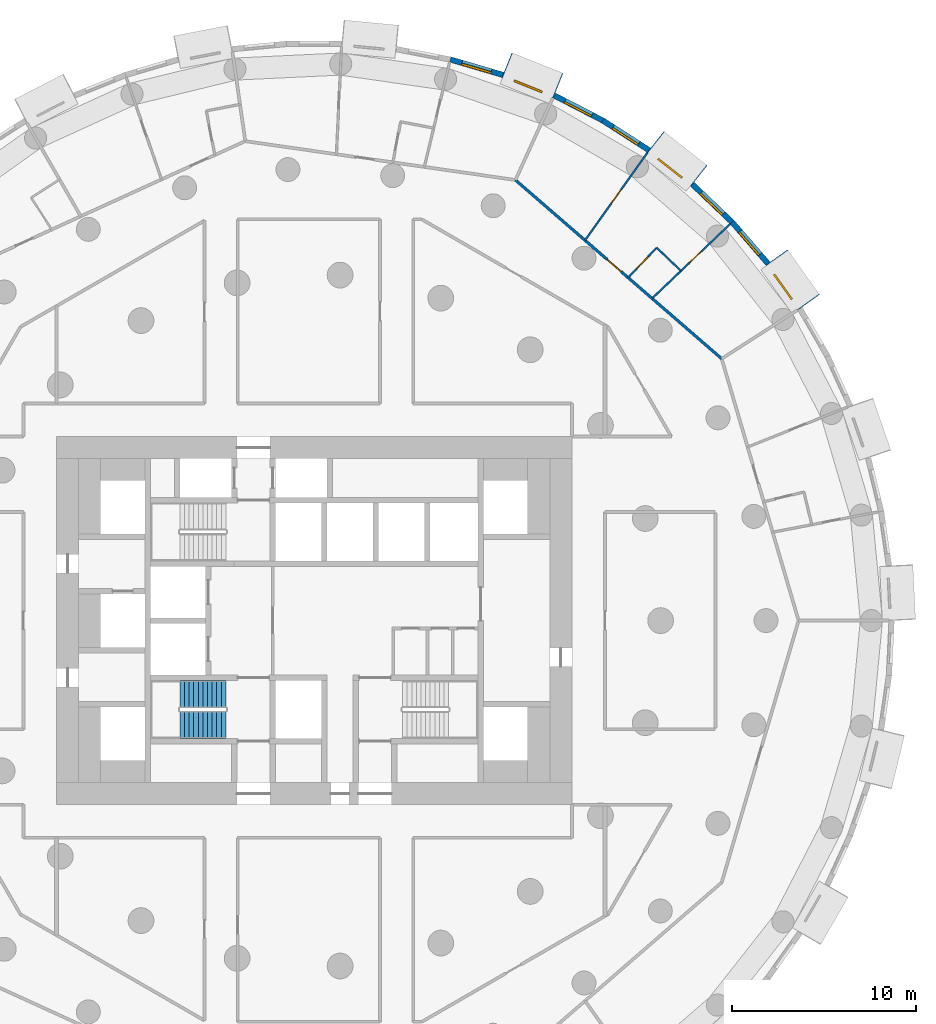
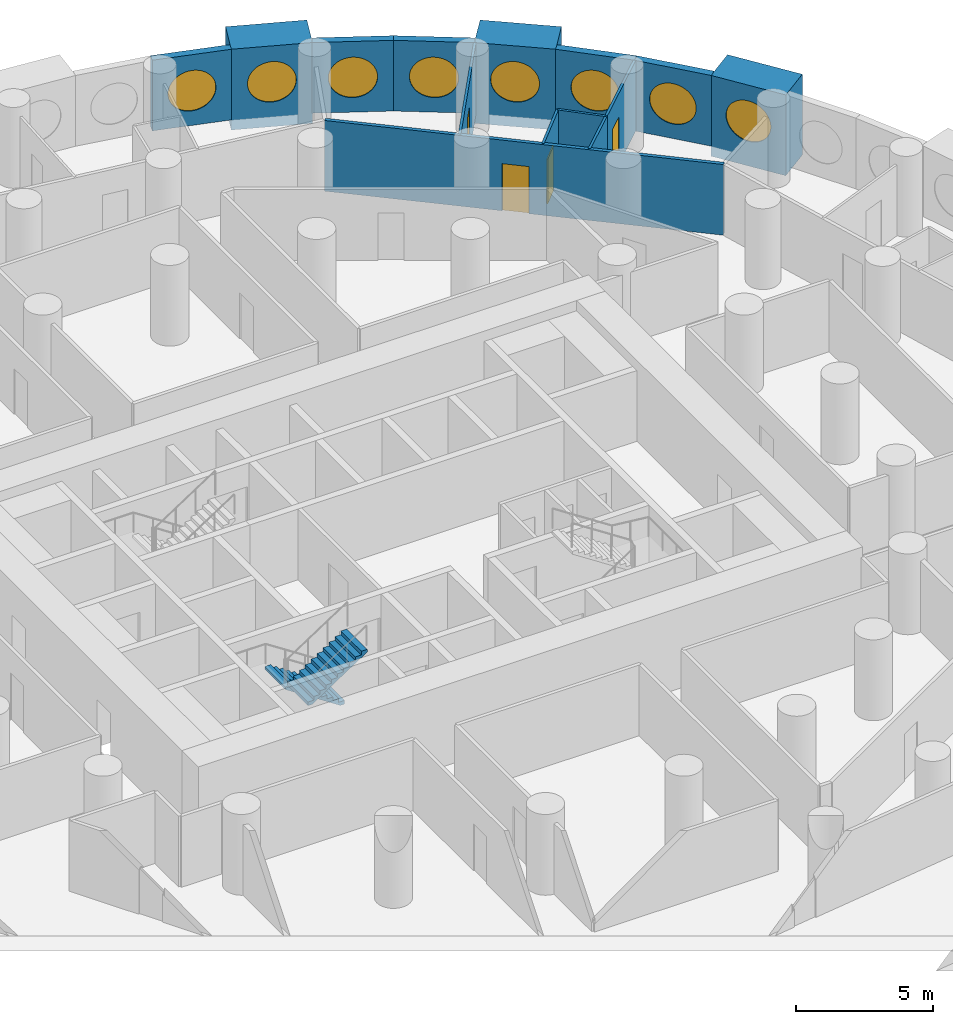
# One storey, part 10 of 12: 14 walls, 8 windows, 4 doors, 2 stair flights, 12 openings, 1 element without a shape of its own.
"""IFC4 building model written with IfcOpenShell, lengths in metres."""

from ifc_helpers import new_model, si_unit, direction, frame, frame_2d, origin, origin_2d, place, context, subcontext, project, spatial, polyline, rectangle, circle, outline, extrude, material, layer, layer_set, type_object, element, fill, aggregate, save


model = new_model("IFC4")

# Units and contexts
model_context = context("Model", 3, precision=1e-05, world=origin(), true_north=direction((0.0, 1.0)))
body_context = subcontext(model_context, "Body", "Model", "MODEL_VIEW")
ifc_project = project(units=[si_unit("LENGTHUNIT", "METRE"), si_unit("AREAUNIT", "SQUARE_METRE"), si_unit("VOLUMEUNIT", "CUBIC_METRE"), si_unit("PLANEANGLEUNIT", "RADIAN"), si_unit("MASSUNIT", "GRAM", prefix="KILO")], contexts=[model_context])

# Site, building, storey
site_placement = place(None, origin())
site = spatial("IfcSite", under=ifc_project, at=site_placement, CompositionType="ELEMENT")
building_placement = place(site_placement, origin())
building = spatial("IfcBuilding", under=site, at=building_placement, Name="Tracery Tower", CompositionType="ELEMENT")
storey_placement = place(building_placement, frame((0.0, 0.0, 82.199951171875)))
storey = spatial("IfcBuildingStorey", under=building, at=storey_placement, Name="L20", CompositionType="ELEMENT", Elevation=82.199951171875)

# Wall, opening, window
ifc_material_1 = material(Name="Precast concrete C50/60", Category="concrete")
ifc_layer_1 = layer(ifc_material_1, 1.449951171875)
ifc_layer_set_1 = layer_set([ifc_layer_1], Name="Deep-set bay unit 3000 x 3600, slab edge 450")
wall_type_1 = type_object("IfcWallType", Name="Deep-set bay unit 3000 x 3600, slab edge 450", PredefinedType="ELEMENTEDWALL", material=ifc_layer_set_1)
wall_1_placement = place(storey_placement, frame((26.866455078125, 17.2900390625, -0.449951171875), z_axis=(0.0, 0.0, 1.0), x_axis=(-0.580090570606, 0.814551981088, 0.0)))
wall_1 = element("IfcWall", 1, at=wall_1_placement, inside=storey, type_object=wall_type_1, Name="Deep-set bay unit 7 at L20", PredefinedType="ELEMENTEDWALL", context=body_context, shape_type="SweptSolid", body=[
    extrude(rectangle(XDim=3.0, YDim=1.449951171875, at=frame_2d((1.5, 0.0))), origin(), (0.0, 0.0, 1.0), 3.60009765625),
])
opening_1_placement = place(wall_1_placement, frame((1.5, 0.0, 2.0)))
opening_1 = element("IfcOpeningElement", 2, at=opening_1_placement, cuts=wall_1, Name="Opening WN1", PredefinedType="OPENING", context=body_context, shape_type="SweptSolid", body=[
    extrude(circle(Radius=0.9000244140625, at=origin_2d()), frame((0.0, 0.73486328125, 0.0), z_axis=(0.0, -1.0, 0.0), x_axis=(1.0, 0.0, 0.0)), (0.0, 0.0, 1.0), 1.469970703125),
])
ifc_material_2 = material(Name="Aluminium frame with tinted double glazing", Category="aluminium")
window_type = type_object("IfcWindowType", Name="Round window 1800", PartitioningType="SINGLE_PANEL", PredefinedType="WINDOW", material=ifc_material_2)
window_1_placement = place(opening_1_placement, origin())
window_1 = element("IfcWindow", 3, at=window_1_placement, inside=storey, type_object=window_type, Name="Round window 7 at L20", OverallHeight=1.800048828125, OverallWidth=1.800048828125, PartitioningType="SINGLE_PANEL", PredefinedType="WINDOW", context=body_context, shape_type="SweptSolid", body=[
    extrude(circle(Radius=0.9000244140625, at=origin_2d()), frame((0.0, 0.69482421875, 0.0), z_axis=(0.0, -1.0, 0.0), x_axis=(1.0, 0.0, 0.0)), (0.0, 0.0, 1.0), 0.10009765625),
])
fill(opening_1, window_1)

wall_2_placement = place(storey_placement, frame((20.906982421875, 24.15869140625, -0.449951171875), z_axis=(0.0, 0.0, 1.0), x_axis=(-0.786049992888, 0.618162930529, 0.0)))
wall_2 = element("IfcWall", 4, at=wall_2_placement, inside=storey, type_object=wall_type_1, Name="Deep-set bay unit 10 at L20", PredefinedType="ELEMENTEDWALL", context=body_context, shape_type="SweptSolid", body=[
    extrude(rectangle(XDim=3.0, YDim=1.449951171875, at=frame_2d((1.5, 0.0))), origin(), (0.0, 0.0, 1.0), 3.60009765625),
])
opening_2_placement = place(wall_2_placement, frame((1.5, 0.0, 2.0)))
opening_2 = element("IfcOpeningElement", 5, at=opening_2_placement, cuts=wall_2, Name="Opening WN1", PredefinedType="OPENING", context=body_context, shape_type="SweptSolid", body=[
    extrude(circle(Radius=0.9000244140625, at=origin_2d()), frame((0.0, 0.73486328125, 0.0), z_axis=(0.0, -1.0, 0.0), x_axis=(1.0, 0.0, 0.0)), (0.0, 0.0, 1.0), 1.469970703125),
])
window_2_placement = place(opening_2_placement, origin())
window_2 = element("IfcWindow", 6, at=window_2_placement, inside=storey, type_object=window_type, Name="Round window 10 at L20", OverallHeight=1.800048828125, OverallWidth=1.800048828125, PartitioningType="SINGLE_PANEL", PredefinedType="WINDOW", context=body_context, shape_type="SweptSolid", body=[
    extrude(circle(Radius=0.9000244140625, at=origin_2d()), frame((0.0, 0.69482421875, 0.0), z_axis=(0.0, -1.0, 0.0), x_axis=(1.0, 0.0, 0.0)), (0.0, 0.0, 1.0), 0.10009765625),
])
fill(opening_2, window_2)

wall_3_placement = place(storey_placement, frame((13.253662109375, 29.0703125, -0.449951171875), z_axis=(0.0, 0.0, 1.0), x_axis=(-0.928358776184, 0.371685327504, 0.0)))
wall_3 = element("IfcWall", 7, at=wall_3_placement, inside=storey, type_object=wall_type_1, Name="Deep-set bay unit 13 at L20", PredefinedType="ELEMENTEDWALL", context=body_context, shape_type="SweptSolid", body=[
    extrude(rectangle(XDim=2.999755859375, YDim=1.449951171875, at=frame_2d((1.5, 0.0))), origin(), (0.0, 0.0, 1.0), 3.60009765625),
])
opening_3_placement = place(wall_3_placement, frame((1.5, 0.0, 2.0)))
opening_3 = element("IfcOpeningElement", 8, at=opening_3_placement, cuts=wall_3, Name="Opening WN1", PredefinedType="OPENING", context=body_context, shape_type="SweptSolid", body=[
    extrude(circle(Radius=0.9000244140625, at=origin_2d()), frame((0.0, 0.73486328125, 0.0), z_axis=(0.0, -1.0, 0.0), x_axis=(1.0, 0.0, 0.0)), (0.0, 0.0, 1.0), 1.469970703125),
])
window_3_placement = place(opening_3_placement, origin())
window_3 = element("IfcWindow", 9, at=window_3_placement, inside=storey, type_object=window_type, Name="Round window 13 at L20", OverallHeight=1.800048828125, OverallWidth=1.800048828125, PartitioningType="SINGLE_PANEL", PredefinedType="WINDOW", context=body_context, shape_type="SweptSolid", body=[
    extrude(circle(Radius=0.9000244140625, at=origin_2d()), frame((0.0, 0.69482421875, 0.0), z_axis=(0.0, -1.0, 0.0), x_axis=(1.0, 0.0, 0.0)), (0.0, 0.0, 1.0), 0.10009765625),
])
fill(opening_3, window_3)

ifc_material_3 = material(Name="Precast concrete C50/60", Category="concrete")
ifc_layer_2 = layer(ifc_material_3, 0.300048828125)
ifc_layer_set_2 = layer_set([ifc_layer_2], Name="Facade panel 3000 x 3150")
wall_type_2 = type_object("IfcWallType", Name="Facade panel 3000 x 3150", PredefinedType="SOLIDWALL", material=ifc_layer_set_2)
wall_4_placement = place(storey_placement, frame((24.657958984375, 19.39892578125, 0.0), z_axis=(0.0, 0.0, 1.0), x_axis=(-0.654830712471, 0.755775587066, 0.0)))
wall_4 = element("IfcWall", 10, at=wall_4_placement, inside=storey, type_object=wall_type_2, Name="Facade panel 8 at L20", PredefinedType="SOLIDWALL", context=body_context, shape_type="SweptSolid", body=[
    extrude(rectangle(XDim=2.979736328125, YDim=0.300048828125, at=frame_2d((1.48974609375, 0.0))), origin(), (0.0, 0.0, 1.0), 3.150146484375),
])
opening_4_placement = place(wall_4_placement, frame((1.48974609375, 0.0, 1.5498046875)))
opening_4 = element("IfcOpeningElement", 11, at=opening_4_placement, cuts=wall_4, Name="Opening WN1", PredefinedType="OPENING", context=body_context, shape_type="SweptSolid", body=[
    extrude(circle(Radius=0.9000244140625, at=origin_2d()), frame((0.0, 0.159912109375, 0.0), z_axis=(0.0, -1.0, 0.0), x_axis=(1.0, 0.0, 0.0)), (0.0, 0.0, 1.0), 0.320068359375),
])
window_4_placement = place(opening_4_placement, origin())
window_4 = element("IfcWindow", 12, at=window_4_placement, inside=storey, type_object=window_type, Name="Round window 8 at L20", OverallHeight=1.800048828125, OverallWidth=1.800048828125, PartitioningType="SINGLE_PANEL", PredefinedType="WINDOW", context=body_context, shape_type="SweptSolid", body=[
    extrude(circle(Radius=0.9000244140625, at=origin_2d()), frame((0.0, 0.1201171875, 0.0), z_axis=(0.0, -1.0, 0.0), x_axis=(1.0, 0.0, 0.0)), (0.0, 0.0, 1.0), 0.10009765625),
])
fill(opening_4, window_4)

wall_5_placement = place(storey_placement, frame((22.706787109375, 21.65087890625, 0.0), z_axis=(0.0, 0.0, 1.0), x_axis=(-0.723744206617, 0.690068346896, 0.0)))
wall_5 = element("IfcWall", 13, at=wall_5_placement, inside=storey, type_object=wall_type_2, Name="Facade panel 9 at L20", PredefinedType="SOLIDWALL", context=body_context, shape_type="SweptSolid", body=[
    extrude(rectangle(XDim=2.979736328125, YDim=0.300048828125, at=frame_2d((1.48974609375, 0.0))), origin(), (0.0, 0.0, 1.0), 3.150146484375),
])
opening_5_placement = place(wall_5_placement, frame((1.48974609375, 0.0, 1.5498046875)))
opening_5 = element("IfcOpeningElement", 14, at=opening_5_placement, cuts=wall_5, Name="Opening WN1", PredefinedType="OPENING", context=body_context, shape_type="SweptSolid", body=[
    extrude(circle(Radius=0.9000244140625, at=origin_2d()), frame((0.0, 0.159912109375, 0.0), z_axis=(0.0, -1.0, 0.0), x_axis=(1.0, 0.0, 0.0)), (0.0, 0.0, 1.0), 0.320068359375),
])
window_5_placement = place(opening_5_placement, origin())
window_5 = element("IfcWindow", 15, at=window_5_placement, inside=storey, type_object=window_type, Name="Round window 9 at L20", OverallHeight=1.800048828125, OverallWidth=1.800048828125, PartitioningType="SINGLE_PANEL", PredefinedType="WINDOW", context=body_context, shape_type="SweptSolid", body=[
    extrude(circle(Radius=0.9000244140625, at=origin_2d()), frame((0.0, 0.1201171875, 0.0), z_axis=(0.0, -1.0, 0.0), x_axis=(1.0, 0.0, 0.0)), (0.0, 0.0, 1.0), 0.10009765625),
])
fill(opening_5, window_5)

wall_6_placement = place(storey_placement, frame((18.19384765625, 25.56005859375, 0.0), z_axis=(0.0, 0.0, 1.0), x_axis=(-0.84122372879, 0.540687190639, 0.0)))
wall_6 = element("IfcWall", 16, at=wall_6_placement, inside=storey, type_object=wall_type_2, Name="Facade panel 11 at L20", PredefinedType="SOLIDWALL", context=body_context, shape_type="SweptSolid", body=[
    extrude(rectangle(XDim=2.979736328125, YDim=0.300048828125, at=frame_2d((1.48974609375, 0.0))), origin(), (0.0, 0.0, 1.0), 3.150146484375),
])
opening_6_placement = place(wall_6_placement, frame((1.48974609375, 0.0, 1.5498046875)))
opening_6 = element("IfcOpeningElement", 17, at=opening_6_placement, cuts=wall_6, Name="Opening WN1", PredefinedType="OPENING", context=body_context, shape_type="SweptSolid", body=[
    extrude(circle(Radius=0.9000244140625, at=origin_2d()), frame((0.0, 0.159912109375, 0.0), z_axis=(0.0, -1.0, 0.0), x_axis=(1.0, 0.0, 0.0)), (0.0, 0.0, 1.0), 0.320068359375),
])
window_6_placement = place(opening_6_placement, origin())
window_6 = element("IfcWindow", 18, at=window_6_placement, inside=storey, type_object=window_type, Name="Round window 11 at L20", OverallHeight=1.800048828125, OverallWidth=1.800048828125, PartitioningType="SINGLE_PANEL", PredefinedType="WINDOW", context=body_context, shape_type="SweptSolid", body=[
    extrude(circle(Radius=0.9000244140625, at=origin_2d()), frame((0.0, 0.1201171875, 0.0), z_axis=(0.0, -1.0, 0.0), x_axis=(1.0, 0.0, 0.0)), (0.0, 0.0, 1.0), 0.10009765625),
])
fill(opening_6, window_6)

wall_7_placement = place(storey_placement, frame((15.687255859375, 27.171142578125, 0.0), z_axis=(0.0, 0.0, 1.0), x_axis=(-0.888853225096, 0.4581920386, 0.0)))
wall_7 = element("IfcWall", 19, at=wall_7_placement, inside=storey, type_object=wall_type_2, Name="Facade panel 12 at L20", PredefinedType="SOLIDWALL", context=body_context, shape_type="SweptSolid", body=[
    extrude(rectangle(XDim=2.9794921875, YDim=0.300048828125, at=frame_2d((1.48974609375, 0.0))), origin(), (0.0, 0.0, 1.0), 3.150146484375),
])
opening_7_placement = place(wall_7_placement, frame((1.48974609375, 0.0, 1.5498046875)))
opening_7 = element("IfcOpeningElement", 20, at=opening_7_placement, cuts=wall_7, Name="Opening WN1", PredefinedType="OPENING", context=body_context, shape_type="SweptSolid", body=[
    extrude(circle(Radius=0.9000244140625, at=origin_2d()), frame((0.0, 0.159912109375, 0.0), z_axis=(0.0, -1.0, 0.0), x_axis=(1.0, 0.0, 0.0)), (0.0, 0.0, 1.0), 0.320068359375),
])
window_7_placement = place(opening_7_placement, origin())
window_7 = element("IfcWindow", 21, at=window_7_placement, inside=storey, type_object=window_type, Name="Round window 12 at L20", OverallHeight=1.800048828125, OverallWidth=1.800048828125, PartitioningType="SINGLE_PANEL", PredefinedType="WINDOW", context=body_context, shape_type="SweptSolid", body=[
    extrude(circle(Radius=0.9000244140625, at=origin_2d()), frame((0.0, 0.1201171875, 0.0), z_axis=(0.0, -1.0, 0.0), x_axis=(1.0, 0.0, 0.0)), (0.0, 0.0, 1.0), 0.10009765625),
])
fill(opening_7, window_7)

wall_8_placement = place(storey_placement, frame((10.255859375, 29.650634765625, 0.0), z_axis=(0.0, 0.0, 1.0), x_axis=(-0.959507586834, 0.28168278401, 0.0)))
wall_8 = element("IfcWall", 22, at=wall_8_placement, inside=storey, type_object=wall_type_2, Name="Facade panel 14 at L20", PredefinedType="SOLIDWALL", context=body_context, shape_type="SweptSolid", body=[
    extrude(rectangle(XDim=2.979736328125, YDim=0.300048828125, at=frame_2d((1.48974609375, 0.0))), origin(), (0.0, 0.0, 1.0), 3.150146484375),
])
opening_8_placement = place(wall_8_placement, frame((1.48974609375, 0.0, 1.5498046875)))
opening_8 = element("IfcOpeningElement", 23, at=opening_8_placement, cuts=wall_8, Name="Opening WN1", PredefinedType="OPENING", context=body_context, shape_type="SweptSolid", body=[
    extrude(circle(Radius=0.9000244140625, at=origin_2d()), frame((0.0, 0.159912109375, 0.0), z_axis=(0.0, -1.0, 0.0), x_axis=(1.0, 0.0, 0.0)), (0.0, 0.0, 1.0), 0.320068359375),
])
window_8_placement = place(opening_8_placement, origin())
window_8 = element("IfcWindow", 24, at=window_8_placement, inside=storey, type_object=window_type, Name="Round window 14 at L20", OverallHeight=1.800048828125, OverallWidth=1.800048828125, PartitioningType="SINGLE_PANEL", PredefinedType="WINDOW", context=body_context, shape_type="SweptSolid", body=[
    extrude(circle(Radius=0.9000244140625, at=origin_2d()), frame((0.0, 0.1201171875, 0.0), z_axis=(0.0, -1.0, 0.0), x_axis=(1.0, 0.0, 0.0)), (0.0, 0.0, 1.0), 0.10009765625),
])
fill(opening_8, window_8)

# Wall, opening, door
ifc_material_4 = material(Name="Plasterboard on steel studs", Category="steel")
ifc_layer_3 = layer(ifc_material_4, 0.10009765625)
ifc_layer_set_3 = layer_set([ifc_layer_3], Name="Partition 100 stud")
wall_type_3 = type_object("IfcWallType", Name="Partition 100 stud", PredefinedType="PARTITIONING", material=ifc_layer_set_3)
wall_9_placement = place(storey_placement, frame((19.927978515625, 19.001953125, 0.0), z_axis=(0.0, 0.0, 1.0), x_axis=(0.723815182922, 0.689993899228, 0.0)))
wall_9 = element("IfcWall", 25, at=wall_9_placement, inside=storey, type_object=wall_type_3, Name="Stud partition RA6-065", PredefinedType="PARTITIONING", context=body_context, shape_type="SweptSolid", body=[
    extrude(rectangle(XDim=3.688720703125, YDim=0.10009765625, at=frame_2d((1.84423828125, 0.0))), origin(), (0.0, 0.0, 1.0), 3.150146484375),
])
opening_9_placement = place(wall_9_placement, frame((0.64453125, 0.0, 0.0)))
opening_9 = element("IfcOpeningElement", 26, at=opening_9_placement, cuts=wall_9, Name="Opening RA6-17", PredefinedType="OPENING", context=body_context, shape_type="SweptSolid", body=[
    extrude(rectangle(XDim=0.89990234375, YDim=2.10009765625, at=frame_2d((0.449951171875, 1.050048828125))), frame((0.0, 0.050048828125, 0.0), z_axis=(0.0, -1.0, 0.0), x_axis=(1.0, 0.0, 0.0)), (0.0, 0.0, 1.0), 0.10009765625),
])
ifc_material_5 = material(Name="Timber door leaf", Category="wood")
door_type_1 = type_object("IfcDoorType", Name="Door bedroom 900", OperationType="NOTDEFINED", PredefinedType="DOOR", material=ifc_material_5)
door_1_placement = place(opening_9_placement, origin())
door_1 = element("IfcDoor", 27, at=door_1_placement, inside=storey, type_object=door_type_1, Name="Bedroom door RA6-17", OperationType="SINGLE_SWING_RIGHT", OverallHeight=2.10009765625, OverallWidth=0.89990234375, PredefinedType="DOOR", context=body_context, shape_type="SweptSolid", body=[
    extrude(rectangle(XDim=0.89990234375, YDim=2.10009765625, at=frame_2d((0.449951171875, 1.050048828125))), frame((0.0, 0.02490234375, 0.0), z_axis=(0.0, -1.0, 0.0), x_axis=(1.0, 0.0, 0.0)), (0.0, 0.0, 1.0), 0.050048828125),
])
fill(opening_9, door_1)

wall_10_placement = place(storey_placement, frame((14.715087890625, 20.6640625, 0.0), z_axis=(0.0, 0.0, 1.0), x_axis=(0.580007254017, 0.814611309329, 0.0)))
wall_10 = element("IfcWall", 28, at=wall_10_placement, inside=storey, type_object=wall_type_3, Name="Stud partition RA6-066", PredefinedType="PARTITIONING", context=body_context, shape_type="SweptSolid", body=[
    extrude(rectangle(XDim=5.856689453125, YDim=0.10009765625, at=frame_2d((2.92822265625, 0.0))), origin(), (0.0, 0.0, 1.0), 3.150146484375),
])
opening_10_placement = place(wall_10_placement, frame((2.47802734375, 0.0, 0.0)))
opening_10 = element("IfcOpeningElement", 29, at=opening_10_placement, cuts=wall_10, Name="Opening RA6-18", PredefinedType="OPENING", context=body_context, shape_type="SweptSolid", body=[
    extrude(rectangle(XDim=0.89990234375, YDim=2.10009765625, at=frame_2d((0.449951171875, 1.050048828125))), frame((0.0, 0.050048828125, 0.0), z_axis=(0.0, -1.0, 0.0), x_axis=(1.0, 0.0, 0.0)), (0.0, 0.0, 1.0), 0.10009765625),
])
door_2_placement = place(opening_10_placement, origin())
door_2 = element("IfcDoor", 30, at=door_2_placement, inside=storey, type_object=door_type_1, Name="Bedroom door RA6-18", OperationType="SINGLE_SWING_LEFT", OverallHeight=2.10009765625, OverallWidth=0.89990234375, PredefinedType="DOOR", context=body_context, shape_type="SweptSolid", body=[
    extrude(rectangle(XDim=0.89990234375, YDim=2.10009765625, at=frame_2d((0.449951171875, 1.050048828125))), frame((0.0, 0.02490234375, 0.0), z_axis=(0.0, -1.0, 0.0), x_axis=(1.0, 0.0, 0.0)), (0.0, 0.0, 1.0), 0.050048828125),
])
fill(opening_10, door_2)

# Wall
ifc_material_6 = material(Name="Plasterboard on steel studs", Category="steel")
ifc_layer_4 = layer(ifc_material_6, 0.10009765625)
ifc_layer_set_4 = layer_set([ifc_layer_4], Name="Partition 100 wet wall")
wall_type_4 = type_object("IfcWallType", Name="Partition 100 wet wall", PredefinedType="PARTITIONING", material=ifc_layer_set_4)
wall_11_placement = place(storey_placement, frame((18.60791015625, 20.260986328125, 0.0), z_axis=(0.0, 0.0, 1.0), x_axis=(0.723638053237, -0.690179663499, 0.0)))
element("IfcWall", 31, at=wall_11_placement, inside=storey, type_object=wall_type_4, Name="Wet wall RA6-067", PredefinedType="PARTITIONING", context=body_context, shape_type="SweptSolid", body=[
    extrude(rectangle(XDim=1.82421875, YDim=0.10009765625, at=frame_2d((0.912109375, 0.0))), origin(), (0.0, 0.0, 1.0), 3.150146484375),
])

# Wall, opening, door
wall_12_placement = place(storey_placement, frame((17.056884765625, 18.634033203125, 0.0), z_axis=(0.0, 0.0, 1.0), x_axis=(0.690015794307, 0.723794310289, 0.0)))
wall_12 = element("IfcWall", 32, at=wall_12_placement, inside=storey, type_object=wall_type_4, Name="Wet wall RA6-068", PredefinedType="PARTITIONING", context=body_context, shape_type="SweptSolid", body=[
    extrude(rectangle(XDim=2.247802734375, YDim=0.10009765625, at=frame_2d((1.1240234375, 0.0))), origin(), (0.0, 0.0, 1.0), 3.150146484375),
])
opening_11_placement = place(wall_12_placement, frame((0.673828125, 0.0, 0.0)))
opening_11 = element("IfcOpeningElement", 33, at=opening_11_placement, cuts=wall_12, Name="Opening RA6-19", PredefinedType="OPENING", context=body_context, shape_type="SweptSolid", body=[
    extrude(rectangle(XDim=0.89990234375, YDim=2.0, at=frame_2d((0.449951171875, 1.0))), frame((0.0, 0.050048828125, 0.0), z_axis=(0.0, -1.0, 0.0), x_axis=(1.0, 0.0, 0.0)), (0.0, 0.0, 1.0), 0.10009765625),
])
ifc_material_7 = material(Name="Timber door leaf", Category="wood")
door_type_2 = type_object("IfcDoorType", Name="Door shower room 900", OperationType="NOTDEFINED", PredefinedType="DOOR", material=ifc_material_7)
door_3_placement = place(opening_11_placement, origin())
door_3 = element("IfcDoor", 34, at=door_3_placement, inside=storey, type_object=door_type_2, Name="Shower room door RA6-19", OperationType="SINGLE_SWING_RIGHT", OverallHeight=2.0, OverallWidth=0.89990234375, PredefinedType="DOOR", context=body_context, shape_type="SweptSolid", body=[
    extrude(rectangle(XDim=0.89990234375, YDim=2.0, at=frame_2d((0.449951171875, 1.0))), frame((0.0, 0.02490234375, 0.0), z_axis=(0.0, -1.0, 0.0), x_axis=(1.0, 0.0, 0.0)), (0.0, 0.0, 1.0), 0.050048828125),
])
fill(opening_11, door_3)

# Wall
wall_13_placement = place(storey_placement, frame((18.35888671875, 17.506103515625, 0.0), z_axis=(0.0, 0.0, 1.0), x_axis=(0.723990848888, 0.689809575699, 0.0)))
element("IfcWall", 35, at=wall_13_placement, inside=storey, type_object=wall_type_4, Name="Wet wall RA6-069", PredefinedType="PARTITIONING", context=body_context, shape_type="SweptSolid", body=[
    extrude(rectangle(XDim=2.17138671875, YDim=0.10009765625, at=frame_2d((1.085693359375, 0.0))), origin(), (0.0, 0.0, 1.0), 3.150146484375),
])

# Wall, opening, door
ifc_material_8 = material(Name="Plasterboard on steel studs", Category="steel")
ifc_layer_5 = layer(ifc_material_8, 0.14990234375)
ifc_layer_set_5 = layer_set([ifc_layer_5], Name="Partition 150 corridor wall")
wall_type_5 = type_object("IfcWallType", Name="Partition 150 corridor wall", PredefinedType="PARTITIONING", material=ifc_layer_set_5)
wall_14_placement = place(storey_placement, frame((10.932373046875, 23.939208984375, 0.0), z_axis=(0.0, 0.0, 1.0), x_axis=(0.755823777664, -0.654775088956, 0.0)))
wall_14 = element("IfcWall", 36, at=wall_14_placement, inside=storey, type_object=wall_type_5, Name="Corridor wall RA6-021", PredefinedType="PARTITIONING", context=body_context, shape_type="SweptSolid", body=[
    extrude(rectangle(XDim=14.829833984375, YDim=0.14990234375, at=frame_2d((7.4150390625, 0.0))), origin(), (0.0, 0.0, 1.0), 3.150146484375),
])
opening_12_placement = place(wall_14_placement, frame((6.60400390625, 0.0, 0.0)))
opening_12 = element("IfcOpeningElement", 37, at=opening_12_placement, cuts=wall_14, Name="Opening RA6-20", PredefinedType="OPENING", context=body_context, shape_type="SweptSolid", body=[
    extrude(rectangle(XDim=1.0, YDim=2.10009765625, at=frame_2d((0.5, 1.050048828125))), frame((0.0, 0.074951171875, 0.0), z_axis=(0.0, -1.0, 0.0), x_axis=(1.0, 0.0, 0.0)), (0.0, 0.0, 1.0), 0.14990234375),
])
ifc_material_9 = material(Name="Timber door leaf", Category="wood")
door_type_3 = type_object("IfcDoorType", Name="Door unit entrance 1000", OperationType="NOTDEFINED", PredefinedType="DOOR", material=ifc_material_9)
door_4_placement = place(opening_12_placement, origin())
door_4 = element("IfcDoor", 38, at=door_4_placement, inside=storey, type_object=door_type_3, Name="Unit entrance door RA6-20", OperationType="SINGLE_SWING_RIGHT", OverallHeight=2.10009765625, OverallWidth=1.0, PredefinedType="DOOR", context=body_context, shape_type="SweptSolid", body=[
    extrude(rectangle(XDim=1.0, YDim=2.10009765625, at=frame_2d((0.5, 1.050048828125))), frame((0.0, 0.02490234375, 0.0), z_axis=(0.0, -1.0, 0.0), x_axis=(1.0, 0.0, 0.0)), (0.0, 0.0, 1.0), 0.050048828125),
])
fill(opening_12, door_4)

# Stair, stair flights
ifc_material_10 = material(Name="Concrete C32/40", Category="concrete")
stair_type = type_object("IfcStairType", Name="Core stair 22 risers", PredefinedType="HALF_TURN_STAIR", material=ifc_material_10)
stair_placement = place(storey_placement, origin())
stair = element("IfcStair", 39, at=stair_placement, inside=storey, type_object=stair_type, Name="L20 stair ST1", PredefinedType="HALF_TURN_STAIR")
ifc_material_11 = material(Name="Concrete C32/40", Category="concrete")
stair_flight_type = type_object("IfcStairFlightType", Name="Core stair flight 11 risers", PredefinedType="STRAIGHT", material=ifc_material_11)
stair_flight_1_placement = place(storey_placement, frame((-4.800048828125, -4.0, 0.0), z_axis=(0.0, 0.0, 1.0), x_axis=(-1.0, 0.0, 0.0)))
stair_flight_1 = element("IfcStairFlight", 40, at=stair_flight_1_placement, type_object=stair_flight_type, Name="ST1 flight 1", NumberOfRisers=11, NumberOfTreads=10, PredefinedType="STRAIGHT", RiserHeight=0.163636364, TreadLength=0.25, context=body_context, shape_type="SweptSolid", body=[
    extrude(outline(polyline([(0.0, 0.0), (0.0, 0.002685546875), (0.0, 0.00537109375), (0.0, 0.008056640625), (0.0, 0.0107421875), (0.0, 0.013427734375), (0.0, 0.01611328125), (0.0, 0.018798828125), (0.0, 0.021484375), (0.0, 0.024169921875), (0.0, 0.02685546875), (0.0, 0.029541015625), (0.0, 0.0322265625), (0.0, 0.034912109375), (0.0, 0.03759765625), (0.0, 0.040283203125), (0.0, 0.04296875), (0.0, 0.045654296875), (0.0, 0.04833984375), (0.0, 0.051025390625), (0.0, 0.0537109375), (0.0, 0.056396484375), (0.0, 0.05908203125), (0.0, 0.061767578125), (0.0, 0.064453125), (0.0, 0.067138671875), (0.0, 0.06982421875), (0.0, 0.072509765625), (0.0, 0.0751953125), (0.0, 0.077880859375), (0.0, 0.08056640625), (0.0, 0.083251953125), (0.0, 0.0859375), (0.0, 0.088623046875), (0.0, 0.09130859375), (0.0, 0.093994140625), (0.0, 0.0966796875), (0.0, 0.099365234375), (0.0, 0.10205078125), (0.0, 0.104736328125), (0.0, 0.107421875), (0.0, 0.10986328125), (0.0, 0.112548828125), (0.0, 0.115234375), (0.0, 0.117919921875), (0.0, 0.12060546875), (0.0, 0.123291015625), (0.0, 0.1259765625), (0.0, 0.128662109375), (0.0, 0.13134765625), (0.0, 0.134033203125), (0.0, 0.13671875), (0.0, 0.139404296875), (0.0, 0.14208984375), (0.0, 0.144775390625), (0.0, 0.1474609375), (0.0, 0.150146484375), (0.0, 0.15283203125), (0.0, 0.155517578125), (0.0, 0.158203125), (0.0, 0.160888671875), (0.0, 0.16357421875), (0.25, 0.16357421875), (0.25, 0.327392578125), (0.5, 0.327392578125), (0.5, 0.490966796875), (0.75, 0.490966796875), (0.75, 0.654541015625), (1.0, 0.654541015625), (1.0, 0.818115234375), (1.25, 0.818115234375), (1.25, 0.98193359375), (1.5, 0.98193359375), (1.5, 1.1455078125), (1.75, 1.1455078125), (1.75, 1.30908203125), (2.0, 1.30908203125), (2.0, 1.47265625), (2.25, 1.47265625), (2.25, 1.636474609375), (2.5, 1.636474609375), (2.5, 1.634521484375), (2.5, 1.63232421875), (2.5, 1.63037109375), (2.5, 1.62841796875), (2.5, 1.62646484375), (2.5, 1.62451171875), (2.5, 1.62255859375), (2.5, 1.62060546875), (2.5, 1.61865234375), (2.5, 1.61669921875), (2.5, 1.61474609375), (2.5, 1.61279296875), (2.5, 1.61083984375), (2.5, 1.60888671875), (2.5, 1.60693359375), (2.5, 1.60498046875), (2.5, 1.60302734375), (2.5, 1.60107421875), (2.5, 1.59912109375), (2.5, 1.59716796875), (2.5, 1.59521484375), (2.5, 1.59326171875), (2.5, 1.59130859375), (2.5, 1.58935546875), (2.5, 1.58740234375), (2.5, 1.58544921875), (2.5, 1.58349609375), (2.5, 1.58154296875), (2.5, 1.57958984375), (2.5, 1.57763671875), (2.5, 1.57568359375), (2.5, 1.573486328125), (2.5, 1.571533203125), (2.5, 1.569580078125), (2.5, 1.567626953125), (2.5, 1.565673828125), (2.5, 1.563720703125), (2.5, 1.561767578125), (2.5, 1.559814453125), (2.5, 1.557861328125), (2.5, 1.555908203125), (2.5, 1.553955078125), (2.5, 1.552001953125), (2.5, 1.550048828125), (2.5, 1.548095703125), (2.5, 1.546142578125), (2.5, 1.544189453125), (2.5, 1.542236328125), (2.5, 1.540283203125), (2.5, 1.538330078125), (2.5, 1.536376953125), (2.5, 1.534423828125), (2.5, 1.532470703125), (2.5, 1.530517578125), (2.5, 1.528564453125), (2.5, 1.526611328125), (2.5, 1.524658203125), (2.5, 1.522705078125), (2.5, 1.520751953125), (2.5, 1.518798828125), (2.5, 1.516845703125), (0.182861328125, 0.0), (0.0, 0.0)])), frame((0.0, 0.75, 0.0), z_axis=(0.0, -1.0, 0.0), x_axis=(1.0, 0.0, 0.0)), (0.0, 0.0, 1.0), 1.5),
])
stair_flight_2_placement = place(storey_placement, frame((-7.300048828125, -5.64990234375, 1.800048828125), z_axis=(0.0, 0.0, 1.0), x_axis=(1.0, 0.0, 0.0)))
stair_flight_2 = element("IfcStairFlight", 41, at=stair_flight_2_placement, type_object=stair_flight_type, Name="ST1 flight 2", NumberOfRisers=11, NumberOfTreads=10, PredefinedType="STRAIGHT", RiserHeight=0.163636364, TreadLength=0.25, context=body_context, shape_type="SweptSolid", body=[
    extrude(outline(polyline([(0.0, 0.0), (0.0, 0.002685546875), (0.0, 0.00537109375), (0.0, 0.008056640625), (0.0, 0.0107421875), (0.0, 0.013427734375), (0.0, 0.01611328125), (0.0, 0.018798828125), (0.0, 0.021484375), (0.0, 0.024169921875), (0.0, 0.02685546875), (0.0, 0.029541015625), (0.0, 0.0322265625), (0.0, 0.034912109375), (0.0, 0.03759765625), (0.0, 0.040283203125), (0.0, 0.04296875), (0.0, 0.045654296875), (0.0, 0.04833984375), (0.0, 0.051025390625), (0.0, 0.0537109375), (0.0, 0.056396484375), (0.0, 0.05908203125), (0.0, 0.061767578125), (0.0, 0.064453125), (0.0, 0.067138671875), (0.0, 0.06982421875), (0.0, 0.072509765625), (0.0, 0.0751953125), (0.0, 0.077880859375), (0.0, 0.08056640625), (0.0, 0.083251953125), (0.0, 0.0859375), (0.0, 0.088623046875), (0.0, 0.09130859375), (0.0, 0.093994140625), (0.0, 0.0966796875), (0.0, 0.099365234375), (0.0, 0.10205078125), (0.0, 0.104736328125), (0.0, 0.107421875), (0.0, 0.10986328125), (0.0, 0.112548828125), (0.0, 0.115234375), (0.0, 0.117919921875), (0.0, 0.12060546875), (0.0, 0.123291015625), (0.0, 0.1259765625), (0.0, 0.128662109375), (0.0, 0.13134765625), (0.0, 0.134033203125), (0.0, 0.13671875), (0.0, 0.139404296875), (0.0, 0.14208984375), (0.0, 0.144775390625), (0.0, 0.1474609375), (0.0, 0.150146484375), (0.0, 0.15283203125), (0.0, 0.155517578125), (0.0, 0.158203125), (0.0, 0.160888671875), (0.0, 0.16357421875), (0.25, 0.16357421875), (0.25, 0.327392578125), (0.5, 0.327392578125), (0.5, 0.490966796875), (0.75, 0.490966796875), (0.75, 0.654541015625), (1.0, 0.654541015625), (1.0, 0.818115234375), (1.25, 0.818115234375), (1.25, 0.98193359375), (1.5, 0.98193359375), (1.5, 1.1455078125), (1.75, 1.1455078125), (1.75, 1.30908203125), (2.0, 1.30908203125), (2.0, 1.47265625), (2.25, 1.47265625), (2.25, 1.636474609375), (2.5, 1.636474609375), (2.5, 1.634521484375), (2.5, 1.63232421875), (2.5, 1.63037109375), (2.5, 1.62841796875), (2.5, 1.62646484375), (2.5, 1.62451171875), (2.5, 1.62255859375), (2.5, 1.62060546875), (2.5, 1.61865234375), (2.5, 1.61669921875), (2.5, 1.61474609375), (2.5, 1.61279296875), (2.5, 1.61083984375), (2.5, 1.60888671875), (2.5, 1.60693359375), (2.5, 1.60498046875), (2.5, 1.60302734375), (2.5, 1.60107421875), (2.5, 1.59912109375), (2.5, 1.59716796875), (2.5, 1.59521484375), (2.5, 1.59326171875), (2.5, 1.59130859375), (2.5, 1.58935546875), (2.5, 1.58740234375), (2.5, 1.58544921875), (2.5, 1.58349609375), (2.5, 1.58154296875), (2.5, 1.57958984375), (2.5, 1.57763671875), (2.5, 1.57568359375), (2.5, 1.573486328125), (2.5, 1.571533203125), (2.5, 1.569580078125), (2.5, 1.567626953125), (2.5, 1.565673828125), (2.5, 1.563720703125), (2.5, 1.561767578125), (2.5, 1.559814453125), (2.5, 1.557861328125), (2.5, 1.555908203125), (2.5, 1.553955078125), (2.5, 1.552001953125), (2.5, 1.550048828125), (2.5, 1.548095703125), (2.5, 1.546142578125), (2.5, 1.544189453125), (2.5, 1.542236328125), (2.5, 1.540283203125), (2.5, 1.538330078125), (2.5, 1.536376953125), (2.5, 1.534423828125), (2.5, 1.532470703125), (2.5, 1.530517578125), (2.5, 1.528564453125), (2.5, 1.526611328125), (2.5, 1.524658203125), (2.5, 1.522705078125), (2.5, 1.520751953125), (2.5, 1.518798828125), (2.5, 1.516845703125), (0.182861328125, 0.0), (0.0, 0.0)])), frame((0.0, 0.75, 0.0), z_axis=(0.0, -1.0, 0.0), x_axis=(1.0, 0.0, 0.0)), (0.0, 0.0, 1.0), 1.5),
])
aggregate(stair, [stair_flight_1, stair_flight_2])

save(model, "model.ifc")
